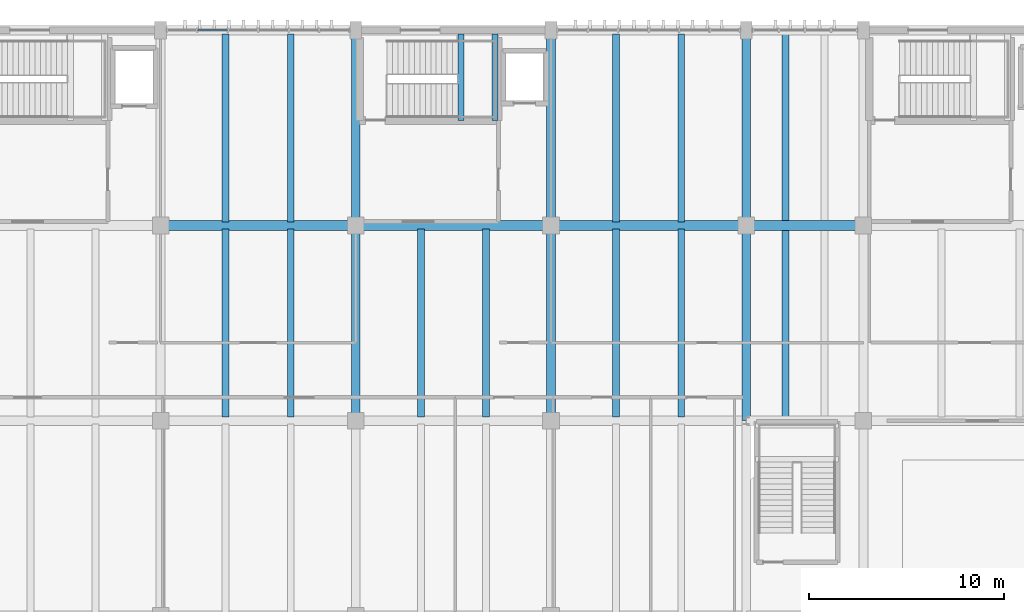
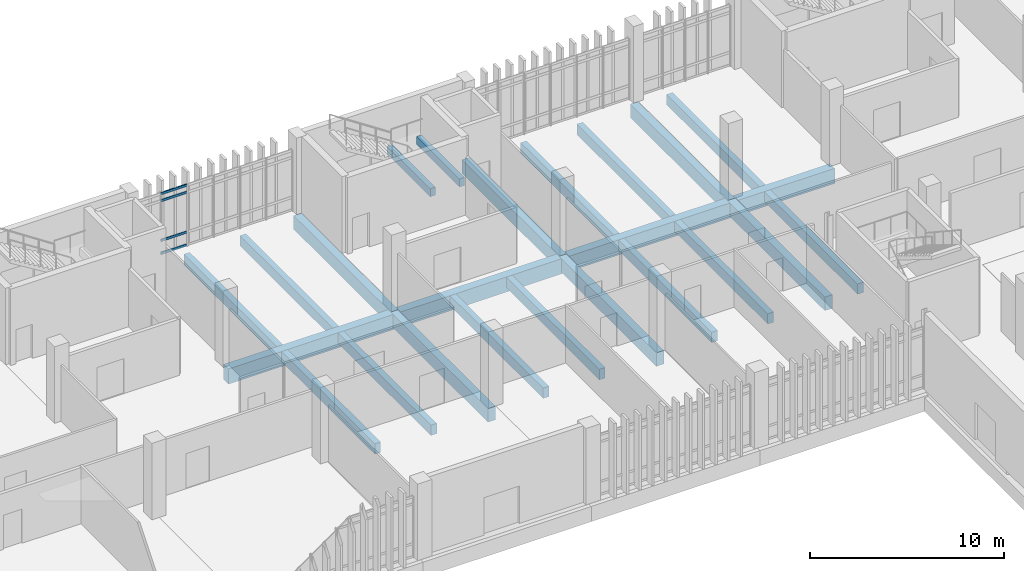
# One storey, part 51 of 87: 24 beams, 4 members, 1 element without a shape of its own.
"""IFC4 building model written with IfcOpenShell, lengths in metres."""

from ifc_helpers import new_model, si_unit, direction, frame, origin, origin_2d, place, context, subcontext, project, spatial, rectangle, hollow_rectangle, extrude, material, layer, layer_set, material_profile, profile_set, type_object, element, aggregate, save


model = new_model("IFC4")

# Units and contexts
model_context = context("Model", 3, precision=1e-05, world=origin(), true_north=direction((0.0, 1.0)))
body_context = subcontext(model_context, "Body", "Model", "MODEL_VIEW")
ifc_project = project(units=[si_unit("LENGTHUNIT", "METRE"), si_unit("AREAUNIT", "SQUARE_METRE"), si_unit("VOLUMEUNIT", "CUBIC_METRE"), si_unit("PLANEANGLEUNIT", "RADIAN"), si_unit("MASSUNIT", "GRAM", prefix="KILO")], contexts=[model_context])

# Site, building, storey
site_placement = place(None, origin())
site = spatial("IfcSite", under=ifc_project, at=site_placement, CompositionType="ELEMENT")
building_placement = place(site_placement, origin())
building = spatial("IfcBuilding", under=site, at=building_placement, Name="Mersad Railyard Sports Hall", CompositionType="ELEMENT")
storey_placement = place(building_placement, origin())
storey = spatial("IfcBuildingStorey", under=building, at=storey_placement, Name="L00", CompositionType="ELEMENT", Elevation=0.0)

# Curtain wall, members
ifc_material_1 = material(Name="Aluminium 6063-T6", Category="aluminium")
ifc_layer = layer(ifc_material_1, 0.199951171875)
ifc_layer_set = layer_set([ifc_layer], Name="Aluminium 6063-T6")
curtain_wall_type = type_object("IfcCurtainWallType", Name="ARC-CW-CW29", PredefinedType="USERDEFINED", material=ifc_layer_set)
curtain_wall_placement = place(storey_placement, origin())
curtain_wall = element("IfcCurtainWall", 1, at=curtain_wall_placement, inside=storey, type_object=curtain_wall_type, Name="Curtain wall CW29-0085", ObjectType="CURTAIN WALL", PredefinedType="USERDEFINED")
ifc_material_profile_1 = material_profile(ifc_material_1, hollow_rectangle(XDim=0.06494140625, YDim=0.14990234375, WallThickness=0.00439453125, at=origin_2d()), Name="AL TRANSOM 65x150x4.5")
ifc_profile_set_1 = profile_set([ifc_material_profile_1], Name="Aluminium 6063-T6")
member_type = type_object("IfcMemberType", Name="ARC-CW-TRN02", PredefinedType="USERDEFINED", material=ifc_profile_set_1)
member_1_placement = place(storey_placement, frame((102.89990234375, 115.0, 0.0400390625), z_axis=(1.0, 0.0, 0.0), x_axis=(0.0, 1.0, 0.0)))
member_1 = element("IfcMember", 2, at=member_1_placement, type_object=member_type, Name="CW29 Transom 1-2", ObjectType="TRANSOM", PredefinedType="USERDEFINED", context=body_context, shape_type="SweptSolid", body=[
    extrude(hollow_rectangle(XDim=0.06494140625, YDim=0.14990234375, WallThickness=0.00439453125, at=origin_2d()), origin(), (0.0, 0.0, 1.0), 1.52001953125),
])
member_2_placement = place(storey_placement, frame((102.89990234375, 115.0, 0.85009765625), z_axis=(1.0, 0.0, 0.0), x_axis=(0.0, 1.0, 0.0)))
member_2 = element("IfcMember", 3, at=member_2_placement, type_object=member_type, Name="CW29 Transom 2-2", ObjectType="TRANSOM", PredefinedType="USERDEFINED", context=body_context, shape_type="SweptSolid", body=[
    extrude(hollow_rectangle(XDim=0.06494140625, YDim=0.14990234375, WallThickness=0.00439453125, at=origin_2d()), origin(), (0.0, 0.0, 1.0), 1.52001953125),
])
member_3_placement = place(storey_placement, frame((102.89990234375, 115.0, 3.35009765625), z_axis=(1.0, 0.0, 0.0), x_axis=(0.0, 1.0, 0.0)))
member_3 = element("IfcMember", 4, at=member_3_placement, type_object=member_type, Name="CW29 Transom 3-2", ObjectType="TRANSOM", PredefinedType="USERDEFINED", context=body_context, shape_type="SweptSolid", body=[
    extrude(hollow_rectangle(XDim=0.06494140625, YDim=0.14990234375, WallThickness=0.00439453125, at=origin_2d()), origin(), (0.0, 0.0, 1.0), 1.52001953125),
])
member_4_placement = place(storey_placement, frame((102.89990234375, 115.0, 3.7900390625), z_axis=(1.0, 0.0, 0.0), x_axis=(0.0, 1.0, 0.0)))
member_4 = element("IfcMember", 5, at=member_4_placement, type_object=member_type, Name="CW29 Transom 4-2", ObjectType="TRANSOM", PredefinedType="USERDEFINED", context=body_context, shape_type="SweptSolid", body=[
    extrude(hollow_rectangle(XDim=0.06494140625, YDim=0.14990234375, WallThickness=0.00439453125, at=origin_2d()), origin(), (0.0, 0.0, 1.0), 1.52001953125),
])
aggregate(curtain_wall, [member_1, member_2, member_3, member_4])

# Beams
ifc_material_2 = material(Name="Concrete C40/50", Category="concrete")
ifc_material_profile_2 = material_profile(ifc_material_2, rectangle(XDim=0.449951171875, YDim=0.85009765625, at=origin_2d()), Name="RC 450x850")
ifc_profile_set_2 = profile_set([ifc_material_profile_2], Name="Concrete C40/50")
beam_type_1 = type_object("IfcBeamType", Name="STR-BM-B02", PredefinedType="BEAM", material=ifc_profile_set_2)
for number, where, z_axis, x_axis, name in (
    (6, (111.0, 95.0, -0.77490234375), (0.0, 1.0, 0.0), (-1.0, 0.0, 0.0), "Beam B02-0193"),
    (7, (111.0, 105.0, -0.77490234375), (0.0, 1.0, 0.0), (-1.0, 0.0, 0.0), "Beam B02-0194"),
    (8, (121.0, 95.0, -0.77490234375), (0.0, 1.0, 0.0), (-1.0, 0.0, 0.0), "Beam B02-0196"),
    (9, (121.0, 105.0, -0.77490234375), (0.0, 1.0, 0.0), (-1.0, 0.0, 0.0), "Beam B02-0197"),
    (10, (131.0, 95.0, -0.77490234375), (0.0, 1.0, 0.0), (-1.0, 0.0, 0.0), "Beam B02-0198"),
    (11, (131.0, 105.0, -0.77490234375), (0.0, 1.0, 0.0), (-1.0, 0.0, 0.0), "Beam B02-0199"),
):
    element("IfcBeam", number, at=place(storey_placement, frame(where, z_axis=z_axis, x_axis=x_axis)), inside=storey, type_object=beam_type_1, Name=name, PredefinedType="BEAM", context=body_context, shape_type="SweptSolid", body=[
        extrude(rectangle(XDim=0.449951171875, YDim=0.85009765625, at=origin_2d()), origin(), (0.0, 0.0, 1.0), 10.0),
    ])
ifc_material_3 = material(Name="Concrete C50/60", Category="concrete")
ifc_material_profile_3 = material_profile(ifc_material_3, rectangle(XDim=0.5, YDim=0.949951171875, at=origin_2d()), Name="RC 500x950")
ifc_profile_set_3 = profile_set([ifc_material_profile_3], Name="Concrete C50/60")
beam_type_2 = type_object("IfcBeamType", Name="STR-BM-B03", PredefinedType="BEAM", material=ifc_profile_set_3)
for number, where, z_axis, x_axis, name in (
    (12, (101.0, 105.0, -0.824951171875), (1.0, 0.0, 0.0), (0.0, 1.0, 0.0), "Beam B03-0163"),
    (13, (111.0, 105.0, -0.824951171875), (1.0, 0.0, 0.0), (0.0, 1.0, 0.0), "Beam B03-0164"),
    (14, (121.0, 105.0, -0.824951171875), (1.0, 0.0, 0.0), (0.0, 1.0, 0.0), "Beam B03-0165"),
):
    element("IfcBeam", number, at=place(storey_placement, frame(where, z_axis=z_axis, x_axis=x_axis)), inside=storey, type_object=beam_type_2, Name=name, PredefinedType="BEAM", context=body_context, shape_type="SweptSolid", body=[
        extrude(rectangle(XDim=0.5, YDim=0.949951171875, at=origin_2d()), origin(), (0.0, 0.0, 1.0), 10.0),
    ])
beam_placement = place(storey_placement, frame((131.0, 105.0, -0.824951171875), z_axis=(1.0, 0.0, 0.0), x_axis=(0.0, 1.0, 0.0)))
element("IfcBeam", 15, at=beam_placement, inside=storey, type_object=beam_type_2, Name="Beam B03-0203", PredefinedType="BEAM", context=body_context, shape_type="SweptSolid", body=[
    extrude(rectangle(XDim=0.5, YDim=0.949951171875, at=origin_2d()), origin(), (0.0, 0.0, 1.0), 6.0),
])
ifc_material_profile_4 = material_profile(ifc_material_2, rectangle(XDim=0.35009765625, YDim=0.64990234375, at=origin_2d()), Name="RC 350x650")
ifc_profile_set_4 = profile_set([ifc_material_profile_4], Name="Concrete C40/50")
beam_type_3 = type_object("IfcBeamType", Name="STR-BM-J01", PredefinedType="JOIST", material=ifc_profile_set_4)
for number, where, z_axis, x_axis, name in (
    (16, (104.3330078125, 95.179931640625, -0.675048828125), (0.0, 1.0, 0.0), (-1.0, 0.0, 0.0), "Beam J01-0252"),
    (17, (107.6669921875, 95.179931640625, -0.675048828125), (0.0, 1.0, 0.0), (-1.0, 0.0, 0.0), "Beam J01-0253"),
    (18, (104.3330078125, 105.179931640625, -0.675048828125), (0.0, 1.0, 0.0), (-1.0, 0.0, 0.0), "Beam J01-0254"),
    (19, (107.6669921875, 105.179931640625, -0.675048828125), (0.0, 1.0, 0.0), (-1.0, 0.0, 0.0), "Beam J01-0255"),
    (20, (114.3330078125, 95.179931640625, -0.675048828125), (0.0, 1.0, 0.0), (-1.0, 0.0, 0.0), "Beam J01-0258"),
    (21, (117.6669921875, 95.179931640625, -0.675048828125), (0.0, 1.0, 0.0), (-1.0, 0.0, 0.0), "Beam J01-0259"),
    (22, (124.3330078125, 95.179931640625, -0.675048828125), (0.0, 1.0, 0.0), (-1.0, 0.0, 0.0), "Beam J01-0262"),
    (23, (127.6669921875, 95.179931640625, -0.675048828125), (0.0, 1.0, 0.0), (-1.0, 0.0, 0.0), "Beam J01-0263"),
    (24, (124.3330078125, 105.179931640625, -0.675048828125), (0.0, 1.0, 0.0), (-1.0, 0.0, 0.0), "Beam J01-0264"),
    (25, (127.6669921875, 105.179931640625, -0.675048828125), (0.0, 1.0, 0.0), (-1.0, 0.0, 0.0), "Beam J01-0265"),
    (26, (133.0, 95.179931640625, -0.675048828125), (0.0, 1.0, 0.0), (-1.0, 0.0, 0.0), "Beam J01-0266"),
    (27, (133.0, 105.179931640625, -0.675048828125), (0.0, 1.0, 0.0), (-1.0, 0.0, 0.0), "Beam J01-0268"),
):
    element("IfcBeam", number, at=place(storey_placement, frame(where, z_axis=z_axis, x_axis=x_axis)), inside=storey, type_object=beam_type_3, Name=name, PredefinedType="JOIST", context=body_context, shape_type="SweptSolid", body=[
        extrude(rectangle(XDim=0.35009765625, YDim=0.64990234375, at=origin_2d()), origin(), (0.0, 0.0, 1.0), 9.64013671875),
    ])
ifc_material_profile_5 = material_profile(ifc_material_2, rectangle(XDim=0.300048828125, YDim=0.5, at=origin_2d()), Name="RC 300x500")
ifc_profile_set_5 = profile_set([ifc_material_profile_5], Name="Concrete C40/50")
beam_type_4 = type_object("IfcBeamType", Name="STR-BM-LN01", PredefinedType="LINTEL", material=ifc_profile_set_5)
for number, where, z_axis, x_axis, name in (
    (28, (116.3798828125, 110.3798828125, 1.969970703125), (0.0, 1.0, 0.0), (-1.0, 0.0, 0.0), "Stair ST03B landing beam W"),
    (29, (118.1201171875, 110.3798828125, 1.969970703125), (0.0, 1.0, 0.0), (-1.0, 0.0, 0.0), "Stair ST03B landing beam E"),
):
    element("IfcBeam", number, at=place(storey_placement, frame(where, z_axis=z_axis, x_axis=x_axis)), inside=storey, type_object=beam_type_4, Name=name, PredefinedType="LINTEL", context=body_context, shape_type="SweptSolid", body=[
        extrude(rectangle(XDim=0.300048828125, YDim=0.5, at=origin_2d()), origin(), (0.0, 0.0, 1.0), 4.43017578125),
    ])

save(model, "model.ifc")
